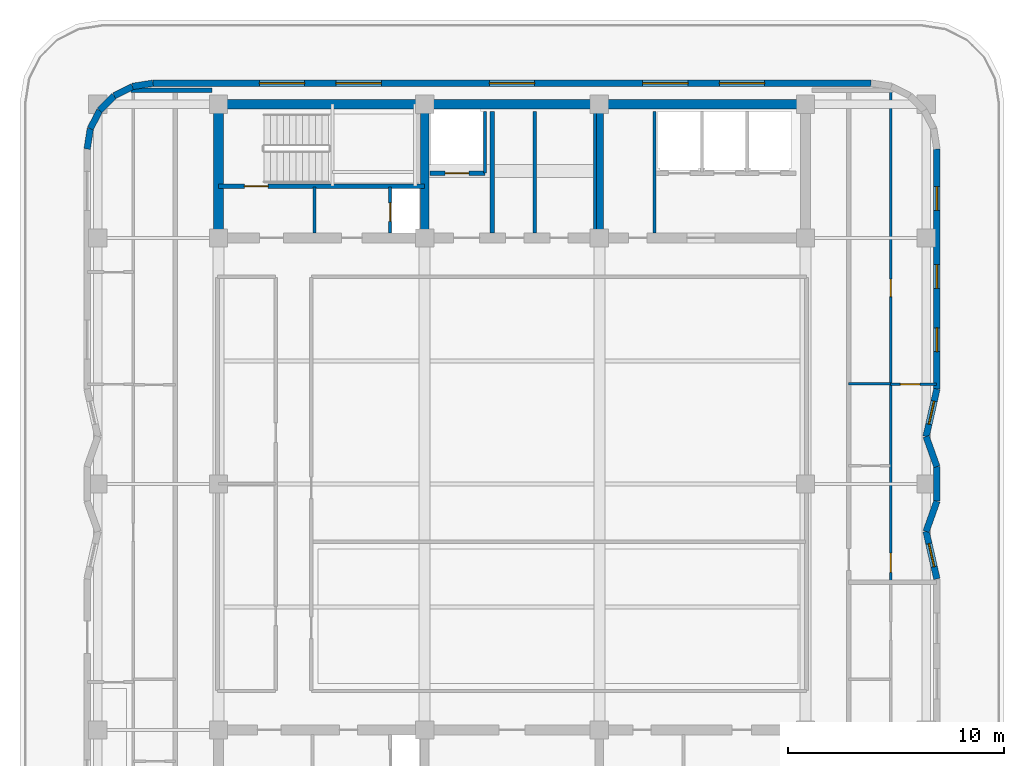
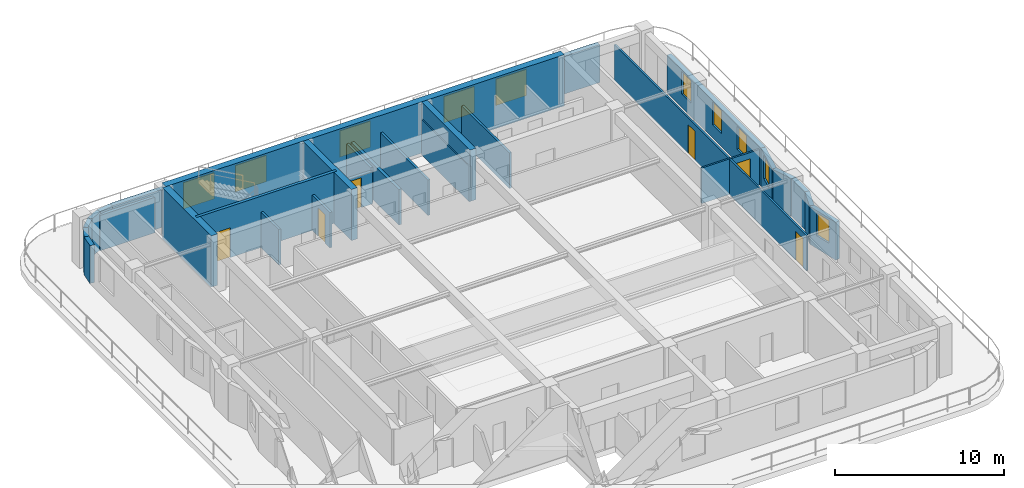
# One storey, part 5 of 9: 29 walls, 10 windows, 6 doors, 16 openings.
"""IFC4 building model written with IfcOpenShell, lengths in metres."""

from ifc_helpers import new_model, si_unit, direction, frame, frame_2d, origin, place, context, subcontext, project, spatial, rectangle, extrude, material, layer, layer_set, type_object, element, fill, save


model = new_model("IFC4")

# Units and contexts
model_context = context("Model", 3, precision=1e-05, world=origin(), true_north=direction((0.0, 1.0)))
body_context = subcontext(model_context, "Body", "Model", "MODEL_VIEW")
ifc_project = project(units=[si_unit("LENGTHUNIT", "METRE"), si_unit("AREAUNIT", "SQUARE_METRE"), si_unit("VOLUMEUNIT", "CUBIC_METRE"), si_unit("PLANEANGLEUNIT", "RADIAN"), si_unit("MASSUNIT", "GRAM", prefix="KILO")], contexts=[model_context])

# Site, building, storey
site_placement = place(None, origin())
site = spatial("IfcSite", under=ifc_project, at=site_placement, CompositionType="ELEMENT")
building_placement = place(site_placement, origin())
building = spatial("IfcBuilding", under=site, at=building_placement, Name="Svetorya Sky Lyceum", CompositionType="ELEMENT")
storey_placement = place(building_placement, frame((0.0, 0.0, 225.800048828125)))
storey = spatial("IfcBuildingStorey", under=building, at=storey_placement, Name="L56", CompositionType="ELEMENT", Elevation=225.800048828125)

# Walls
ifc_material_1 = material(Name="Concrete C40/50", Category="concrete")
ifc_layer_1 = layer(ifc_material_1, 0.39990234375)
ifc_layer_set_1 = layer_set([ifc_layer_1], Name="Concrete C40/50")
wall_type_1 = type_object("IfcWallType", Name="WL-CORE-400", PredefinedType="SHEAR", material=ifc_layer_set_1)
for number, where, z_axis, x_axis, name in (
    (1, (35.14990234375, 39.824951171875, 0.0), (0.0, 0.0, 1.0), (0.0, 1.0, 0.0), "L56 NC Internal Shear Web WEB1"),
    (2, (43.25, 39.824951171875, 0.0), (0.0, 0.0, 1.0), (0.0, 1.0, 0.0), "L56 NC Internal Shear Web WEB2"),
):
    element("IfcWall", number, at=place(storey_placement, frame(where, z_axis=z_axis, x_axis=x_axis)), inside=storey, type_object=wall_type_1, Name=name, PredefinedType="SHEAR", context=body_context, shape_type="SweptSolid", body=[
        extrude(rectangle(XDim=5.75, YDim=0.39990234375, at=frame_2d((2.875, 0.0))), origin(), (0.0, 0.0, 1.0), 3.699951171875),
    ])
ifc_material_2 = material(Name="Concrete C50/60", Category="concrete")
ifc_layer_2 = layer(ifc_material_2, 0.449951171875)
ifc_layer_set_2 = layer_set([ifc_layer_2], Name="Concrete C50/60")
wall_type_2 = type_object("IfcWallType", Name="WL-CORE-450", PredefinedType="SHEAR", material=ifc_layer_set_2)
wall_1_placement = place(storey_placement, frame((25.60009765625, 45.800048828125, 0.0), z_axis=(0.0, 0.0, 1.0), x_axis=(1.0, 0.0, 0.0)))
element("IfcWall", 3, at=wall_1_placement, inside=storey, type_object=wall_type_2, Name="L56 NC Outer Core Shear Wall", PredefinedType="SHEAR", context=body_context, shape_type="SweptSolid", body=[
    extrude(rectangle(XDim=27.199951171875, YDim=0.449951171875, at=frame_2d((13.60009765625, 0.0))), origin(), (0.0, 0.0, 1.0), 3.699951171875),
])
wall_2_placement = place(storey_placement, frame((25.60009765625, 39.824951171875, 0.0), z_axis=(0.0, 0.0, 1.0), x_axis=(0.0, 1.0, 0.0)))
element("IfcWall", 4, at=wall_2_placement, inside=storey, type_object=wall_type_2, Name="L56 NC West Core Shear Wall", PredefinedType="SHEAR", context=body_context, shape_type="SweptSolid", body=[
    extrude(rectangle(XDim=5.75, YDim=0.449951171875, at=frame_2d((2.875, 0.0))), origin(), (0.0, 0.0, 1.0), 3.699951171875),
])

# Wall, opening, window
ifc_material_3 = material(Name="Putilovo limestone rainscreen on autoclaved cellular masonry", Category="masonry")
ifc_layer_3 = layer(ifc_material_3, 0.300048828125)
ifc_layer_set_3 = layer_set([ifc_layer_3], Name="Putilovo limestone rainscreen on autoclaved cellular masonry")
wall_type_3 = type_object("IfcWallType", Name="WL-EXT-300", PredefinedType="SOLIDWALL", material=ifc_layer_set_3)
wall_3_placement = place(storey_placement, frame((58.889892578125, 23.800048828125, 0.0), z_axis=(0.0, 0.0, 1.0), x_axis=(-0.221625780886, 0.975131792758, 0.0)))
wall_3 = element("IfcWall", 5, at=wall_3_placement, inside=storey, type_object=wall_type_3, Name="L56 Limestone Exterior Wall 13M", PredefinedType="SOLIDWALL", context=body_context, shape_type="SweptSolid", body=[
    extrude(rectangle(XDim=2.256103515625, YDim=0.300048828125, at=frame_2d((1.1279296875, 0.0))), origin(), (0.0, 0.0, 1.0), 2.72998046875),
])
opening_1_placement = place(wall_3_placement, frame((0.578125, 0.0, 0.919921875)))
opening_1 = element("IfcOpeningElement", 6, at=opening_1_placement, cuts=wall_3, Name="Opening W-R3", PredefinedType="OPENING", context=body_context, shape_type="SweptSolid", body=[
    extrude(rectangle(XDim=1.10009765625, YDim=1.64990234375, at=frame_2d((0.550048828125, 0.824951171875))), frame((0.0, 0.159912109375, 0.0), z_axis=(0.0, -1.0, 0.0), x_axis=(1.0, 0.0, 0.0)), (0.0, 0.0, 1.0), 0.320068359375),
])
ifc_material_4 = material(Name="Thermally broken aluminium frame with triple low-E glazing", Category="aluminium")
window_type_1 = type_object("IfcWindowType", Name="WN-RES-110", PartitioningType="SINGLE_PANEL", PredefinedType="WINDOW", material=ifc_material_4)
window_1_placement = place(opening_1_placement, origin())
window_1 = element("IfcWindow", 7, at=window_1_placement, inside=storey, type_object=window_type_1, Name="L56 Facade Window W-R3.13M.1", OverallHeight=1.64990234375, OverallWidth=1.10009765625, PartitioningType="SINGLE_PANEL", PredefinedType="WINDOW", context=body_context, shape_type="SweptSolid", body=[
    extrude(rectangle(XDim=1.10009765625, YDim=1.64990234375, at=frame_2d((0.550048828125, 0.824951171875))), frame((0.0, 0.030029296875, 0.0), z_axis=(0.0, -1.0, 0.0), x_axis=(1.0, 0.0, 0.0)), (0.0, 0.0, 1.0), 0.06005859375),
])
fill(opening_1, window_1)

# Walls
wall_4_placement = place(storey_placement, frame((58.389892578125, 26.0, 0.0), z_axis=(0.0, 0.0, 1.0), x_axis=(0.336357205213, 0.94173447983, 0.0)))
element("IfcWall", 8, at=wall_4_placement, inside=storey, type_object=wall_type_3, Name="L56 Limestone Exterior Wall 14M", PredefinedType="SOLIDWALL", context=body_context, shape_type="SweptSolid", body=[
    extrude(rectangle(XDim=1.486572265625, YDim=0.300048828125, at=frame_2d((0.7431640625, 0.0))), origin(), (0.0, 0.0, 1.0), 2.72998046875),
])
wall_5_placement = place(storey_placement, frame((58.889892578125, 27.39990234375, 0.0), z_axis=(0.0, 0.0, 1.0), x_axis=(0.0, 1.0, 0.0)))
element("IfcWall", 9, at=wall_5_placement, inside=storey, type_object=wall_type_3, Name="L56 Limestone Exterior Wall 15M", PredefinedType="SOLIDWALL", context=body_context, shape_type="SweptSolid", body=[
    extrude(rectangle(XDim=1.60009765625, YDim=0.300048828125, at=frame_2d((0.800048828125, 0.0))), origin(), (0.0, 0.0, 1.0), 2.72998046875),
])
wall_6_placement = place(storey_placement, frame((58.889892578125, 29.0, 0.0), z_axis=(0.0, 0.0, 1.0), x_axis=(-0.336357205213, 0.94173447983, 0.0)))
element("IfcWall", 10, at=wall_6_placement, inside=storey, type_object=wall_type_3, Name="L56 Limestone Exterior Wall 16M", PredefinedType="SOLIDWALL", context=body_context, shape_type="SweptSolid", body=[
    extrude(rectangle(XDim=1.486572265625, YDim=0.300048828125, at=frame_2d((0.7431640625, 0.0))), origin(), (0.0, 0.0, 1.0), 2.72998046875),
])

# Wall, opening, window
wall_7_placement = place(storey_placement, frame((58.389892578125, 30.39990234375, 0.0), z_axis=(0.0, 0.0, 1.0), x_axis=(0.221602396322, 0.975137107254, 0.0)))
wall_7 = element("IfcWall", 11, at=wall_7_placement, inside=storey, type_object=wall_type_3, Name="L56 Limestone Exterior Wall 17M", PredefinedType="SOLIDWALL", context=body_context, shape_type="SweptSolid", body=[
    extrude(rectangle(XDim=2.25634765625, YDim=0.300048828125, at=frame_2d((1.128173828125, 0.0))), origin(), (0.0, 0.0, 1.0), 2.72998046875),
])
opening_2_placement = place(wall_7_placement, frame((0.578125, 0.0, 0.919921875)))
opening_2 = element("IfcOpeningElement", 12, at=opening_2_placement, cuts=wall_7, Name="Opening W-R3", PredefinedType="OPENING", context=body_context, shape_type="SweptSolid", body=[
    extrude(rectangle(XDim=1.10009765625, YDim=1.64990234375, at=frame_2d((0.550048828125, 0.824951171875))), frame((0.0, 0.159912109375, 0.0), z_axis=(0.0, -1.0, 0.0), x_axis=(1.0, 0.0, 0.0)), (0.0, 0.0, 1.0), 0.320068359375),
])
window_2_placement = place(opening_2_placement, origin())
window_2 = element("IfcWindow", 13, at=window_2_placement, inside=storey, type_object=window_type_1, Name="L56 Facade Window W-R3.17M.1", OverallHeight=1.64990234375, OverallWidth=1.10009765625, PartitioningType="SINGLE_PANEL", PredefinedType="WINDOW", context=body_context, shape_type="SweptSolid", body=[
    extrude(rectangle(XDim=1.10009765625, YDim=1.64990234375, at=frame_2d((0.550048828125, 0.824951171875))), frame((0.0, 0.030029296875, 0.0), z_axis=(0.0, -1.0, 0.0), x_axis=(1.0, 0.0, 0.0)), (0.0, 0.0, 1.0), 0.06005859375),
])
fill(opening_2, window_2)

# Wall, openings, windows
wall_8_placement = place(storey_placement, frame((58.889892578125, 32.60009765625, 0.0), z_axis=(0.0, 0.0, 1.0), x_axis=(0.0, 1.0, 0.0)))
wall_8 = element("IfcWall", 14, at=wall_8_placement, inside=storey, type_object=wall_type_3, Name="L56 Limestone Exterior Wall 18M", PredefinedType="SOLIDWALL", context=body_context, shape_type="SweptSolid", body=[
    extrude(rectangle(XDim=11.119873046875, YDim=0.300048828125, at=frame_2d((5.56005859375, 0.0))), origin(), (0.0, 0.0, 1.0), 2.72998046875),
])
opening_3_placement = place(wall_8_placement, frame((1.73681640625, 0.0, 0.949951171875)))
opening_3 = element("IfcOpeningElement", 15, at=opening_3_placement, cuts=wall_8, Name="Opening W-R3", PredefinedType="OPENING", context=body_context, shape_type="SweptSolid", body=[
    extrude(rectangle(XDim=1.10009765625, YDim=1.64990234375, at=frame_2d((0.550048828125, 0.824951171875))), frame((0.0, 0.159912109375, 0.0), z_axis=(0.0, -1.0, 0.0), x_axis=(1.0, 0.0, 0.0)), (0.0, 0.0, 1.0), 0.320068359375),
])
opening_4_placement = place(wall_8_placement, frame((4.659912109375, 0.0, 0.949951171875)))
opening_4 = element("IfcOpeningElement", 16, at=opening_4_placement, cuts=wall_8, Name="Opening W-R3", PredefinedType="OPENING", context=body_context, shape_type="SweptSolid", body=[
    extrude(rectangle(XDim=1.10009765625, YDim=1.64990234375, at=frame_2d((0.550048828125, 0.824951171875))), frame((0.0, 0.159912109375, 0.0), z_axis=(0.0, -1.0, 0.0), x_axis=(1.0, 0.0, 0.0)), (0.0, 0.0, 1.0), 0.320068359375),
])
opening_5_placement = place(wall_8_placement, frame((8.283203125, 0.0, 0.949951171875)))
opening_5 = element("IfcOpeningElement", 17, at=opening_5_placement, cuts=wall_8, Name="Opening W-R3", PredefinedType="OPENING", context=body_context, shape_type="SweptSolid", body=[
    extrude(rectangle(XDim=1.10009765625, YDim=1.64990234375, at=frame_2d((0.550048828125, 0.824951171875))), frame((0.0, 0.159912109375, 0.0), z_axis=(0.0, -1.0, 0.0), x_axis=(1.0, 0.0, 0.0)), (0.0, 0.0, 1.0), 0.320068359375),
])
window_3_placement = place(opening_3_placement, origin())
window_3 = element("IfcWindow", 18, at=window_3_placement, inside=storey, type_object=window_type_1, Name="L56 Facade Window W-R3.18M.1", OverallHeight=1.64990234375, OverallWidth=1.10009765625, PartitioningType="SINGLE_PANEL", PredefinedType="WINDOW", context=body_context, shape_type="SweptSolid", body=[
    extrude(rectangle(XDim=1.10009765625, YDim=1.64990234375, at=frame_2d((0.550048828125, 0.824951171875))), frame((0.0, 0.030029296875, 0.0), z_axis=(0.0, -1.0, 0.0), x_axis=(1.0, 0.0, 0.0)), (0.0, 0.0, 1.0), 0.06005859375),
])
fill(opening_3, window_3)
window_4_placement = place(opening_4_placement, origin())
window_4 = element("IfcWindow", 19, at=window_4_placement, inside=storey, type_object=window_type_1, Name="L56 Facade Window W-R3.18M.2", OverallHeight=1.64990234375, OverallWidth=1.10009765625, PartitioningType="SINGLE_PANEL", PredefinedType="WINDOW", context=body_context, shape_type="SweptSolid", body=[
    extrude(rectangle(XDim=1.10009765625, YDim=1.64990234375, at=frame_2d((0.550048828125, 0.824951171875))), frame((0.0, 0.030029296875, 0.0), z_axis=(0.0, -1.0, 0.0), x_axis=(1.0, 0.0, 0.0)), (0.0, 0.0, 1.0), 0.06005859375),
])
fill(opening_4, window_4)
window_5_placement = place(opening_5_placement, origin())
window_5 = element("IfcWindow", 20, at=window_5_placement, inside=storey, type_object=window_type_1, Name="L56 Facade Window W-R3.18M.3", OverallHeight=1.64990234375, OverallWidth=1.10009765625, PartitioningType="SINGLE_PANEL", PredefinedType="WINDOW", context=body_context, shape_type="SweptSolid", body=[
    extrude(rectangle(XDim=1.10009765625, YDim=1.64990234375, at=frame_2d((0.550048828125, 0.824951171875))), frame((0.0, 0.030029296875, 0.0), z_axis=(0.0, -1.0, 0.0), x_axis=(1.0, 0.0, 0.0)), (0.0, 0.0, 1.0), 0.06005859375),
])
fill(opening_5, window_5)

wall_9_placement = place(storey_placement, frame((55.840087890625, 46.77001953125, 0.0), z_axis=(0.0, 0.0, 1.0), x_axis=(-1.0, 0.0, 0.0)))
wall_9 = element("IfcWall", 21, at=wall_9_placement, inside=storey, type_object=wall_type_3, Name="L56 Limestone Exterior Wall 24M", PredefinedType="SOLIDWALL", context=body_context, shape_type="SweptSolid", body=[
    extrude(rectangle(XDim=33.280029296875, YDim=0.300048828125, at=frame_2d((16.64013671875, 0.0))), origin(), (0.0, 0.0, 1.0), 2.72998046875),
])
opening_6_placement = place(wall_9_placement, frame((4.929931640625, 0.0, 0.7099609375)))
opening_6 = element("IfcOpeningElement", 22, at=opening_6_placement, cuts=wall_9, Name="Opening W-R0", PredefinedType="OPENING", context=body_context, shape_type="SweptSolid", body=[
    extrude(rectangle(XDim=2.10009765625, YDim=1.89990234375, at=frame_2d((1.050048828125, 0.949951171875))), frame((0.0, 0.159912109375, 0.0), z_axis=(0.0, -1.0, 0.0), x_axis=(1.0, 0.0, 0.0)), (0.0, 0.0, 1.0), 0.320068359375),
])
opening_7_placement = place(wall_9_placement, frame((8.4833984375, 0.0, 0.7099609375)))
opening_7 = element("IfcOpeningElement", 23, at=opening_7_placement, cuts=wall_9, Name="Opening W-R0", PredefinedType="OPENING", context=body_context, shape_type="SweptSolid", body=[
    extrude(rectangle(XDim=2.10009765625, YDim=1.89990234375, at=frame_2d((1.050048828125, 0.949951171875))), frame((0.0, 0.159912109375, 0.0), z_axis=(0.0, -1.0, 0.0), x_axis=(1.0, 0.0, 0.0)), (0.0, 0.0, 1.0), 0.320068359375),
])
opening_8_placement = place(wall_9_placement, frame((15.590087890625, 0.0, 0.7099609375)))
opening_8 = element("IfcOpeningElement", 24, at=opening_8_placement, cuts=wall_9, Name="Opening W-R0", PredefinedType="OPENING", context=body_context, shape_type="SweptSolid", body=[
    extrude(rectangle(XDim=2.10009765625, YDim=1.89990234375, at=frame_2d((1.050048828125, 0.949951171875))), frame((0.0, 0.159912109375, 0.0), z_axis=(0.0, -1.0, 0.0), x_axis=(1.0, 0.0, 0.0)), (0.0, 0.0, 1.0), 0.320068359375),
])
opening_9_placement = place(wall_9_placement, frame((22.69677734375, 0.0, 0.7099609375)))
opening_9 = element("IfcOpeningElement", 25, at=opening_9_placement, cuts=wall_9, Name="Opening W-R0", PredefinedType="OPENING", context=body_context, shape_type="SweptSolid", body=[
    extrude(rectangle(XDim=2.10009765625, YDim=1.89990234375, at=frame_2d((1.050048828125, 0.949951171875))), frame((0.0, 0.159912109375, 0.0), z_axis=(0.0, -1.0, 0.0), x_axis=(1.0, 0.0, 0.0)), (0.0, 0.0, 1.0), 0.320068359375),
])
opening_10_placement = place(wall_9_placement, frame((26.25, 0.0, 0.7099609375)))
opening_10 = element("IfcOpeningElement", 26, at=opening_10_placement, cuts=wall_9, Name="Opening W-R0", PredefinedType="OPENING", context=body_context, shape_type="SweptSolid", body=[
    extrude(rectangle(XDim=2.10009765625, YDim=1.89990234375, at=frame_2d((1.050048828125, 0.949951171875))), frame((0.0, 0.159912109375, 0.0), z_axis=(0.0, -1.0, 0.0), x_axis=(1.0, 0.0, 0.0)), (0.0, 0.0, 1.0), 0.320068359375),
])
window_type_2 = type_object("IfcWindowType", Name="WN-RES-210", PartitioningType="TRIPLE_PANEL_VERTICAL", PredefinedType="WINDOW", material=ifc_material_4)
window_6_placement = place(opening_6_placement, origin())
window_6 = element("IfcWindow", 27, at=window_6_placement, inside=storey, type_object=window_type_2, Name="L56 Facade Window W-R0.24M.1", OverallHeight=1.89990234375, OverallWidth=2.10009765625, PartitioningType="SINGLE_PANEL", PredefinedType="WINDOW", context=body_context, shape_type="SweptSolid", body=[
    extrude(rectangle(XDim=2.10009765625, YDim=1.89990234375, at=frame_2d((1.050048828125, 0.949951171875))), frame((0.0, 0.030029296875, 0.0), z_axis=(0.0, -1.0, 0.0), x_axis=(1.0, 0.0, 0.0)), (0.0, 0.0, 1.0), 0.06005859375),
])
fill(opening_6, window_6)
window_7_placement = place(opening_7_placement, origin())
window_7 = element("IfcWindow", 28, at=window_7_placement, inside=storey, type_object=window_type_2, Name="L56 Facade Window W-R0.24M.2", OverallHeight=1.89990234375, OverallWidth=2.10009765625, PartitioningType="SINGLE_PANEL", PredefinedType="WINDOW", context=body_context, shape_type="SweptSolid", body=[
    extrude(rectangle(XDim=2.10009765625, YDim=1.89990234375, at=frame_2d((1.050048828125, 0.949951171875))), frame((0.0, 0.030029296875, 0.0), z_axis=(0.0, -1.0, 0.0), x_axis=(1.0, 0.0, 0.0)), (0.0, 0.0, 1.0), 0.06005859375),
])
fill(opening_7, window_7)
window_8_placement = place(opening_8_placement, origin())
window_8 = element("IfcWindow", 29, at=window_8_placement, inside=storey, type_object=window_type_2, Name="L56 Facade Window W-R0.24M.3", OverallHeight=1.89990234375, OverallWidth=2.10009765625, PartitioningType="SINGLE_PANEL", PredefinedType="WINDOW", context=body_context, shape_type="SweptSolid", body=[
    extrude(rectangle(XDim=2.10009765625, YDim=1.89990234375, at=frame_2d((1.050048828125, 0.949951171875))), frame((0.0, 0.030029296875, 0.0), z_axis=(0.0, -1.0, 0.0), x_axis=(1.0, 0.0, 0.0)), (0.0, 0.0, 1.0), 0.06005859375),
])
fill(opening_8, window_8)
window_9_placement = place(opening_9_placement, origin())
window_9 = element("IfcWindow", 30, at=window_9_placement, inside=storey, type_object=window_type_2, Name="L56 Facade Window W-R0.24M.4", OverallHeight=1.89990234375, OverallWidth=2.10009765625, PartitioningType="SINGLE_PANEL", PredefinedType="WINDOW", context=body_context, shape_type="SweptSolid", body=[
    extrude(rectangle(XDim=2.10009765625, YDim=1.89990234375, at=frame_2d((1.050048828125, 0.949951171875))), frame((0.0, 0.030029296875, 0.0), z_axis=(0.0, -1.0, 0.0), x_axis=(1.0, 0.0, 0.0)), (0.0, 0.0, 1.0), 0.06005859375),
])
fill(opening_9, window_9)
window_10_placement = place(opening_10_placement, origin())
window_10 = element("IfcWindow", 31, at=window_10_placement, inside=storey, type_object=window_type_2, Name="L56 Facade Window W-R0.24M.5", OverallHeight=1.89990234375, OverallWidth=2.10009765625, PartitioningType="SINGLE_PANEL", PredefinedType="WINDOW", context=body_context, shape_type="SweptSolid", body=[
    extrude(rectangle(XDim=2.10009765625, YDim=1.89990234375, at=frame_2d((1.050048828125, 0.949951171875))), frame((0.0, 0.030029296875, 0.0), z_axis=(0.0, -1.0, 0.0), x_axis=(1.0, 0.0, 0.0)), (0.0, 0.0, 1.0), 0.06005859375),
])
fill(opening_10, window_10)

# Walls
wall_10_placement = place(storey_placement, frame((22.56005859375, 46.77001953125, 0.0), z_axis=(0.0, 0.0, 1.0), x_axis=(-0.987669453596, -0.156553666304, 0.0)))
element("IfcWall", 32, at=wall_10_placement, inside=storey, type_object=wall_type_3, Name="L56 Limestone Exterior Wall 25M", PredefinedType="SOLIDWALL", context=body_context, shape_type="SweptSolid", body=[
    extrude(rectangle(XDim=0.954345703125, YDim=0.300048828125, at=frame_2d((0.47705078125, 0.0))), origin(), (0.0, 0.0, 1.0), 2.72998046875),
])
wall_11_placement = place(storey_placement, frame((21.617431640625, 46.62060546875, 0.0), z_axis=(0.0, 0.0, 1.0), x_axis=(-0.891023873617, -0.45395644796, 0.0)))
element("IfcWall", 33, at=wall_11_placement, inside=storey, type_object=wall_type_3, Name="L56 Limestone Exterior Wall 26M", PredefinedType="SOLIDWALL", context=body_context, shape_type="SweptSolid", body=[
    extrude(rectangle(XDim=0.9541015625, YDim=0.300048828125, at=frame_2d((0.47705078125, 0.0))), origin(), (0.0, 0.0, 1.0), 2.72998046875),
])
wall_12_placement = place(storey_placement, frame((20.767333984375, 46.1875, 0.0), z_axis=(0.0, 0.0, 1.0), x_axis=(-0.707106781187, -0.707106781187, 0.0)))
element("IfcWall", 34, at=wall_12_placement, inside=storey, type_object=wall_type_3, Name="L56 Limestone Exterior Wall 27M", PredefinedType="SOLIDWALL", context=body_context, shape_type="SweptSolid", body=[
    extrude(rectangle(XDim=0.954345703125, YDim=0.300048828125, at=frame_2d((0.47705078125, 0.0))), origin(), (0.0, 0.0, 1.0), 2.72998046875),
])
wall_13_placement = place(storey_placement, frame((20.092529296875, 45.5126953125, 0.0), z_axis=(0.0, 0.0, 1.0), x_axis=(-0.454159573051, -0.890920356825, 0.0)))
element("IfcWall", 35, at=wall_13_placement, inside=storey, type_object=wall_type_3, Name="L56 Limestone Exterior Wall 28M", PredefinedType="SOLIDWALL", context=body_context, shape_type="SweptSolid", body=[
    extrude(rectangle(XDim=0.9541015625, YDim=0.300048828125, at=frame_2d((0.47705078125, 0.0))), origin(), (0.0, 0.0, 1.0), 2.72998046875),
])
wall_14_placement = place(storey_placement, frame((19.6591796875, 44.66259765625, 0.0), z_axis=(0.0, 0.0, 1.0), x_axis=(-0.156304114255, -0.987708977314, 0.0)))
element("IfcWall", 36, at=wall_14_placement, inside=storey, type_object=wall_type_3, Name="L56 Limestone Exterior Wall 29M", PredefinedType="SOLIDWALL", context=body_context, shape_type="SweptSolid", body=[
    extrude(rectangle(XDim=0.954345703125, YDim=0.300048828125, at=frame_2d((0.47705078125, 0.0))), origin(), (0.0, 0.0, 1.0), 2.72998046875),
])
ifc_material_5 = material(Name="Twin-stud galvanized framing with double fireboard", Category="gypsum")
ifc_layer_4 = layer(ifc_material_5, 0.1201171875)
ifc_layer_set_4 = layer_set([ifc_layer_4], Name="Twin-stud galvanized framing with double fireboard")
wall_type_4 = type_object("IfcWallType", Name="WL-PART-120", PredefinedType="PARTITIONING", material=ifc_layer_set_4)
wall_15_placement = place(storey_placement, frame((54.800048828125, 32.85009765625, 0.0), z_axis=(0.0, 0.0, 1.0), x_axis=(1.0, 0.0, 0.0)))
element("IfcWall", 37, at=wall_15_placement, inside=storey, type_object=wall_type_4, Name="L56 Interior Partition E2-WH2", PredefinedType="PARTITIONING", context=body_context, shape_type="SweptSolid", body=[
    extrude(rectangle(XDim=1.949951171875, YDim=0.1201171875, at=frame_2d((0.97509765625, 0.0))), origin(), (0.0, 0.0, 1.0), 2.56005859375),
])

# Wall, opening, door
wall_16_placement = place(storey_placement, frame((56.75, 32.820068359375, 0.0), z_axis=(0.0, 0.0, 1.0), x_axis=(1.0, 0.0, 0.0)))
wall_16 = element("IfcWall", 38, at=wall_16_placement, inside=storey, type_object=wall_type_4, Name="L56 Interior Partition E2-WL1", PredefinedType="PARTITIONING", context=body_context, shape_type="SweptSolid", body=[
    extrude(rectangle(XDim=2.1201171875, YDim=0.1201171875, at=frame_2d((1.06005859375, 0.0))), origin(), (0.0, 0.0, 1.0), 2.56005859375),
])
opening_11_placement = place(wall_16_placement, frame((0.449951171875, 0.0, 0.0)))
opening_11 = element("IfcOpeningElement", 39, at=opening_11_placement, cuts=wall_16, Name="Opening D-RM1", PredefinedType="OPENING", context=body_context, shape_type="SweptSolid", body=[
    extrude(rectangle(XDim=0.89990234375, YDim=2.10009765625, at=frame_2d((0.449951171875, 1.050048828125))), frame((0.0, 0.070068359375, 0.0), z_axis=(0.0, -1.0, 0.0), x_axis=(1.0, 0.0, 0.0)), (0.0, 0.0, 1.0), 0.14013671875),
])
ifc_material_6 = material(Name="Lacquered birch veneer internal door")
door_type_1 = type_object("IfcDoorType", Name="DR-INT-900", OperationType="SINGLE_SWING_LEFT", PredefinedType="DOOR", material=ifc_material_6)
door_1_placement = place(opening_11_placement, origin())
door_1 = element("IfcDoor", 40, at=door_1_placement, inside=storey, type_object=door_type_1, Name="Apartment E2 Bedroom 1 Door", OperationType="SINGLE_SWING_LEFT", OverallHeight=2.10009765625, OverallWidth=0.89990234375, PredefinedType="DOOR", context=body_context, shape_type="SweptSolid", body=[
    extrude(rectangle(XDim=0.89990234375, YDim=2.10009765625, at=frame_2d((0.449951171875, 1.050048828125))), frame((0.0, 0.02490234375, 0.0), z_axis=(0.0, -1.0, 0.0), x_axis=(1.0, 0.0, 0.0)), (0.0, 0.0, 1.0), 0.050048828125),
])
fill(opening_11, door_1)

# Wall, openings, doors
wall_17_placement = place(storey_placement, frame((56.75, 23.68994140625, 0.0), z_axis=(0.0, 0.0, 1.0), x_axis=(0.0, 1.0, 0.0)))
wall_17 = element("IfcWall", 41, at=wall_17_placement, inside=storey, type_object=wall_type_4, Name="L56 Interior Partition E2-WV", PredefinedType="PARTITIONING", context=body_context, shape_type="SweptSolid", body=[
    extrude(rectangle(XDim=22.719970703125, YDim=0.1201171875, at=frame_2d((11.35986328125, 0.0))), origin(), (0.0, 0.0, 1.0), 2.56005859375),
])
opening_12_placement = place(wall_17_placement, frame((0.409912109375, 0.0, 0.0)))
opening_12 = element("IfcOpeningElement", 42, at=opening_12_placement, cuts=wall_17, Name="Opening D-RM1", PredefinedType="OPENING", context=body_context, shape_type="SweptSolid", body=[
    extrude(rectangle(XDim=0.89990234375, YDim=2.10009765625, at=frame_2d((0.449951171875, 1.050048828125))), frame((0.0, 0.070068359375, 0.0), z_axis=(0.0, -1.0, 0.0), x_axis=(1.0, 0.0, 0.0)), (0.0, 0.0, 1.0), 0.14013671875),
])
opening_13_placement = place(wall_17_placement, frame((13.18505859375, 0.0, 0.0)))
opening_13 = element("IfcOpeningElement", 43, at=opening_13_placement, cuts=wall_17, Name="Opening D-BT2", PredefinedType="OPENING", context=body_context, shape_type="SweptSolid", body=[
    extrude(rectangle(XDim=0.820068359375, YDim=2.080078125, at=frame_2d((0.41015625, 1.0400390625))), frame((0.0, 0.070068359375, 0.0), z_axis=(0.0, -1.0, 0.0), x_axis=(1.0, 0.0, 0.0)), (0.0, 0.0, 1.0), 0.14013671875),
])
door_2_placement = place(opening_12_placement, origin())
door_2 = element("IfcDoor", 44, at=door_2_placement, inside=storey, type_object=door_type_1, Name="Apartment E2 Living Door", OperationType="SINGLE_SWING_RIGHT", OverallHeight=2.10009765625, OverallWidth=0.89990234375, PredefinedType="DOOR", context=body_context, shape_type="SweptSolid", body=[
    extrude(rectangle(XDim=0.89990234375, YDim=2.10009765625, at=frame_2d((0.449951171875, 1.050048828125))), frame((0.0, 0.02490234375, 0.0), z_axis=(0.0, -1.0, 0.0), x_axis=(1.0, 0.0, 0.0)), (0.0, 0.0, 1.0), 0.050048828125),
])
fill(opening_12, door_2)
ifc_material_7 = material(Name="Compact moisture-resistant laminate closet door")
door_type_2 = type_object("IfcDoorType", Name="DR-WET-820", OperationType="SINGLE_SWING_LEFT", PredefinedType="DOOR", material=ifc_material_7)
door_3_placement = place(opening_13_placement, origin())
door_3 = element("IfcDoor", 45, at=door_3_placement, inside=storey, type_object=door_type_2, Name="Apartment E2 Study Door", OperationType="SINGLE_SWING_LEFT", OverallHeight=2.080078125, OverallWidth=0.820068359375, PredefinedType="DOOR", context=body_context, shape_type="SweptSolid", body=[
    extrude(rectangle(XDim=0.820068359375, YDim=2.080078125, at=frame_2d((0.41015625, 1.0400390625))), frame((0.0, 0.02490234375, 0.0), z_axis=(0.0, -1.0, 0.0), x_axis=(1.0, 0.0, 0.0)), (0.0, 0.0, 1.0), 0.050048828125),
])
fill(opening_13, door_3)

# Wall, opening, door
ifc_material_8 = material(Name="Autoclaved cellular masonry blockwork with acoustic render", Category="masonry")
ifc_layer_5 = layer(ifc_material_8, 0.14990234375)
ifc_layer_set_5 = layer_set([ifc_layer_5], Name="Autoclaved cellular masonry blockwork with acoustic render")
wall_type_5 = type_object("IfcWallType", Name="WL-PART-150", PredefinedType="PARTITIONING", material=ifc_layer_set_5)
wall_18_placement = place(storey_placement, frame((33.550048828125, 39.820068359375, 0.0), z_axis=(0.0, 0.0, 1.0), x_axis=(0.0, 1.0, 0.0)))
wall_18 = element("IfcWall", 46, at=wall_18_placement, inside=storey, type_object=wall_type_5, Name="L56 Interior Partition NC-RSRW", PredefinedType="PARTITIONING", context=body_context, shape_type="SweptSolid", body=[
    extrude(rectangle(XDim=2.1298828125, YDim=0.14990234375, at=frame_2d((1.06494140625, 0.0))), origin(), (0.0, 0.0, 1.0), 2.56005859375),
])
opening_14_placement = place(wall_18_placement, frame((0.550048828125, 0.0, 0.0)))
opening_14 = element("IfcOpeningElement", 47, at=opening_14_placement, cuts=wall_18, Name="Opening D-SH1", PredefinedType="OPENING", context=body_context, shape_type="SweptSolid", body=[
    extrude(rectangle(XDim=0.85009765625, YDim=2.050048828125, at=frame_2d((0.425048828125, 1.02490234375))), frame((0.0, 0.0849609375, 0.0), z_axis=(0.0, -1.0, 0.0), x_axis=(1.0, 0.0, 0.0)), (0.0, 0.0, 1.0), 0.169921875),
])
ifc_material_9 = material(Name="Insulated galvanized riser inspection fire door")
door_type_3 = type_object("IfcDoorType", Name="DR-SHFT-850", OperationType="SINGLE_SWING_LEFT", PredefinedType="TRAPDOOR", material=ifc_material_9)
door_4_placement = place(opening_14_placement, origin())
door_4 = element("IfcDoor", 48, at=door_4_placement, inside=storey, type_object=door_type_3, Name="L56 North Riser Access Door", OperationType="SINGLE_SWING_LEFT", OverallHeight=2.050048828125, OverallWidth=0.85009765625, PredefinedType="TRAPDOOR", context=body_context, shape_type="SweptSolid", body=[
    extrude(rectangle(XDim=0.85009765625, YDim=2.050048828125, at=frame_2d((0.425048828125, 1.02490234375))), frame((0.0, 0.02490234375, 0.0), z_axis=(0.0, -1.0, 0.0), x_axis=(1.0, 0.0, 0.0)), (0.0, 0.0, 1.0), 0.050048828125),
])
fill(opening_14, door_4)

# Walls
wall_19_placement = place(storey_placement, frame((30.050048828125, 39.820068359375, 0.0), z_axis=(0.0, 0.0, 1.0), x_axis=(0.0, 1.0, 0.0)))
element("IfcWall", 49, at=wall_19_placement, inside=storey, type_object=wall_type_5, Name="L56 Interior Partition NC-NWD1", PredefinedType="PARTITIONING", context=body_context, shape_type="SweptSolid", body=[
    extrude(rectangle(XDim=2.1298828125, YDim=0.14990234375, at=frame_2d((1.06494140625, 0.0))), origin(), (0.0, 0.0, 1.0), 2.56005859375),
])
wall_20_placement = place(storey_placement, frame((37.949951171875, 42.60009765625, 0.0), z_axis=(0.0, 0.0, 1.0), x_axis=(0.0, 1.0, 0.0)))
element("IfcWall", 50, at=wall_20_placement, inside=storey, type_object=wall_type_5, Name="L56 Interior Partition NC-FL1SIDE", PredefinedType="PARTITIONING", context=body_context, shape_type="SweptSolid", body=[
    extrude(rectangle(XDim=2.849853515625, YDim=0.14990234375, at=frame_2d((1.4248046875, 0.0))), origin(), (0.0, 0.0, 1.0), 2.56005859375),
])
for number, where, z_axis, x_axis, name in (
    (51, (43.050048828125, 39.820068359375, 0.0), (0.0, 0.0, 1.0), (0.0, 1.0, 0.0), "L56 Interior Partition NC-FPM-END"),
    (52, (40.25, 39.820068359375, 0.0), (0.0, 0.0, 1.0), (0.0, 1.0, 0.0), "L56 Interior Partition NC-FPM-V2"),
    (53, (45.800048828125, 39.820068359375, 0.0), (0.0, 0.0, 1.0), (0.0, 1.0, 0.0), "L56 Interior Partition NC-PM3-FULL"),
):
    element("IfcWall", number, at=place(storey_placement, frame(where, z_axis=z_axis, x_axis=x_axis)), inside=storey, type_object=wall_type_5, Name=name, PredefinedType="PARTITIONING", context=body_context, shape_type="SweptSolid", body=[
        extrude(rectangle(XDim=5.6298828125, YDim=0.14990234375, at=frame_2d((2.81494140625, 0.0))), origin(), (0.0, 0.0, 1.0), 2.56005859375),
    ])

# Wall, opening, door
ifc_material_10 = material(Name="Autoclaved cellular masonry blockwork with gypsum plaster", Category="masonry")
ifc_layer_6 = layer(ifc_material_10, 0.199951171875)
ifc_layer_set_6 = layer_set([ifc_layer_6], Name="Autoclaved cellular masonry blockwork with gypsum plaster")
wall_type_6 = type_object("IfcWallType", Name="WL-PART-200", PredefinedType="PARTITIONING", material=ifc_layer_set_6)
wall_21_placement = place(storey_placement, frame((37.949951171875, 42.60009765625, 0.0), z_axis=(0.0, 0.0, 1.0), x_axis=(-1.0, 0.0, 0.0)))
wall_21 = element("IfcWall", 54, at=wall_21_placement, inside=storey, type_object=wall_type_6, Name="L56 Interior Partition NC-FL1W", PredefinedType="PARTITIONING", context=body_context, shape_type="SweptSolid", body=[
    extrude(rectangle(XDim=2.550048828125, YDim=0.199951171875, at=frame_2d((1.27490234375, 0.0))), origin(), (0.0, 0.0, 1.0), 2.329833984375),
])
opening_15_placement = place(wall_21_placement, frame((0.75, 0.0, 0.0)))
opening_15 = element("IfcOpeningElement", 55, at=opening_15_placement, cuts=wall_21, Name="Opening LD-FL", PredefinedType="OPENING", context=body_context, shape_type="SweptSolid", body=[
    extrude(rectangle(XDim=1.10009765625, YDim=2.14990234375, at=frame_2d((0.550048828125, 1.074951171875))), frame((0.0, 0.10986328125, 0.0), z_axis=(0.0, -1.0, 0.0), x_axis=(1.0, 0.0, 0.0)), (0.0, 0.0, 1.0), 0.219970703125),
])
ifc_material_11 = material(Name="Fire-rated stainless AISI 304 firefighting lift landing door")
door_type_4 = type_object("IfcDoorType", Name="DR-LIFT-1100", OperationType="SLIDING_TO_LEFT", PredefinedType="DOOR", material=ifc_material_11)
door_5_placement = place(opening_15_placement, origin())
door_5 = element("IfcDoor", 56, at=door_5_placement, inside=storey, type_object=door_type_4, Name="L56 Firefighting Lift FL1 Landing Door", OperationType="SLIDING_TO_LEFT", OverallHeight=2.14990234375, OverallWidth=1.10009765625, PredefinedType="DOOR", context=body_context, shape_type="SweptSolid", body=[
    extrude(rectangle(XDim=1.10009765625, YDim=2.14990234375, at=frame_2d((0.550048828125, 1.074951171875))), frame((0.0, 0.02490234375, 0.0), z_axis=(0.0, -1.0, 0.0), x_axis=(1.0, 0.0, 0.0)), (0.0, 0.0, 1.0), 0.050048828125),
])
fill(opening_15, door_5)

# Walls
wall_22_placement = place(storey_placement, frame((38.280029296875, 39.820068359375, 0.0), z_axis=(0.0, 0.0, 1.0), x_axis=(0.0, 1.0, 0.0)))
element("IfcWall", 57, at=wall_22_placement, inside=storey, type_object=wall_type_6, Name="L56 Interior Partition NC-FFLDIV", PredefinedType="PARTITIONING", context=body_context, shape_type="SweptSolid", body=[
    extrude(rectangle(XDim=5.6298828125, YDim=0.199951171875, at=frame_2d((2.81494140625, 0.0))), origin(), (0.0, 0.0, 1.0), 2.56005859375),
])
wall_23_placement = place(storey_placement, frame((21.5458984375, 46.449951171875, 0.0), z_axis=(0.0, 0.0, 1.0), x_axis=(1.0, 0.0, 0.0)))
element("IfcWall", 58, at=wall_23_placement, inside=storey, type_object=wall_type_6, Name="L56 Interior Partition W-CAP-N", PredefinedType="PARTITIONING", context=body_context, shape_type="SweptSolid", body=[
    extrude(rectangle(XDim=3.754150390625, YDim=0.199951171875, at=frame_2d((1.876953125, 0.0))), origin(), (0.0, 0.0, 1.0), 2.56005859375),
])

# Wall, opening, door
ifc_layer_7 = layer(ifc_material_2, 0.199951171875)
ifc_layer_set_7 = layer_set([ifc_layer_7], Name="Concrete C50/60")
wall_type_7 = type_object("IfcWallType", Name="WL-SHW-200", PredefinedType="SHEAR", material=ifc_layer_set_7)
wall_24_placement = place(storey_placement, frame((35.14990234375, 42.0, 0.0), z_axis=(0.0, 0.0, 1.0), x_axis=(-1.0, 0.0, 0.0)))
wall_24 = element("IfcWall", 59, at=wall_24_placement, inside=storey, type_object=wall_type_7, Name="L56 Structural Stair Shaft Wall NC-STW", PredefinedType="SHEAR", context=body_context, shape_type="SweptSolid", body=[
    extrude(rectangle(XDim=9.5498046875, YDim=0.199951171875, at=frame_2d((4.77490234375, 0.0))), origin(), (0.0, 0.0, 1.0), 3.699951171875),
])
opening_16_placement = place(wall_24_placement, frame((7.25, 0.0, 0.0)))
opening_16 = element("IfcOpeningElement", 60, at=opening_16_placement, cuts=wall_24, Name="Opening D-ST1", PredefinedType="OPENING", context=body_context, shape_type="SweptSolid", body=[
    extrude(rectangle(XDim=1.10009765625, YDim=2.14990234375, at=frame_2d((0.550048828125, 1.074951171875))), frame((0.0, 0.10986328125, 0.0), z_axis=(0.0, -1.0, 0.0), x_axis=(1.0, 0.0, 0.0)), (0.0, 0.0, 1.0), 0.219970703125),
])
ifc_material_12 = material(Name="Powder-coated insulated galvanized stair fire door")
door_type_5 = type_object("IfcDoorType", Name="DR-FIRE-1100", OperationType="SINGLE_SWING_LEFT", PredefinedType="DOOR", material=ifc_material_12)
door_6_placement = place(opening_16_placement, origin())
door_6 = element("IfcDoor", 61, at=door_6_placement, inside=storey, type_object=door_type_5, Name="L56 Stair ST-N Vestibule Fire Door", OperationType="SINGLE_SWING_RIGHT", OverallHeight=2.14990234375, OverallWidth=1.10009765625, PredefinedType="DOOR", context=body_context, shape_type="SweptSolid", body=[
    extrude(rectangle(XDim=1.10009765625, YDim=2.14990234375, at=frame_2d((0.550048828125, 1.074951171875))), frame((0.0, 0.02490234375, 0.0), z_axis=(0.0, -1.0, 0.0), x_axis=(1.0, 0.0, 0.0)), (0.0, 0.0, 1.0), 0.050048828125),
])
fill(opening_16, door_6)

save(model, "model.ifc")
